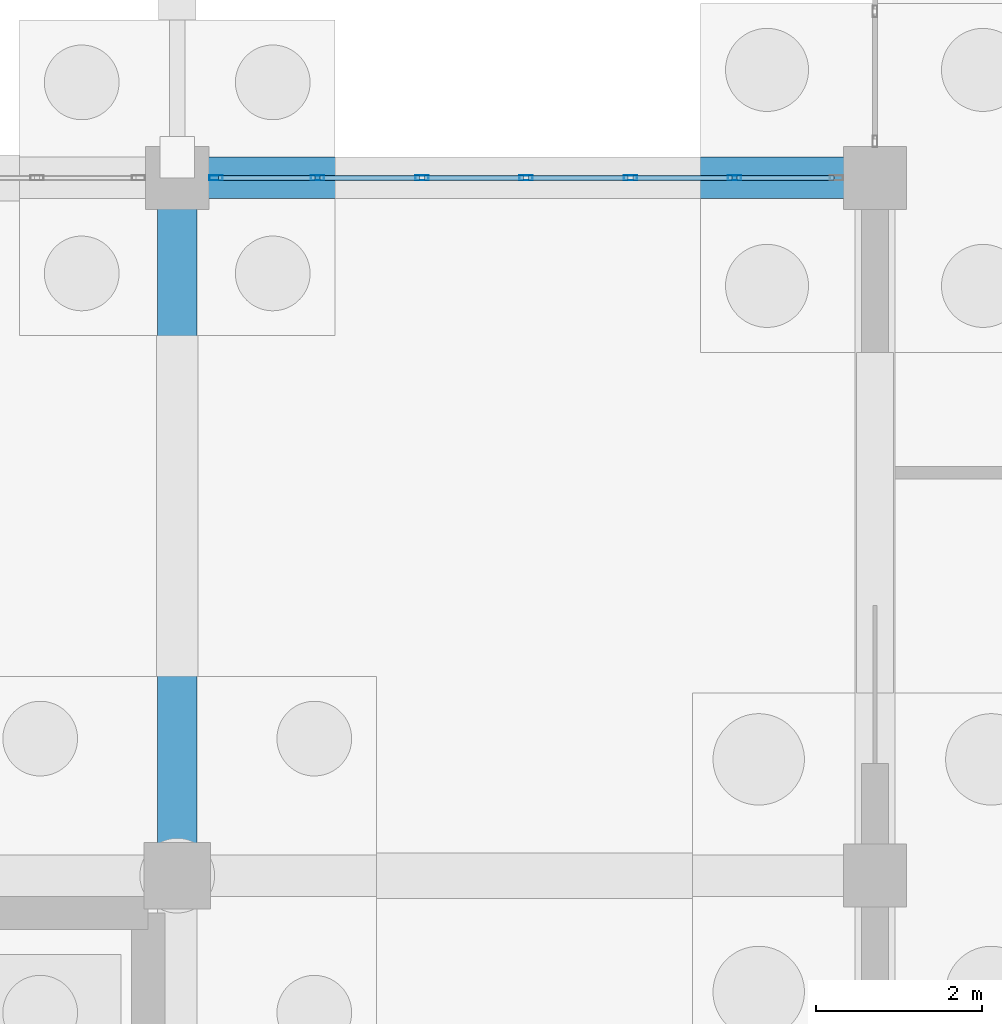
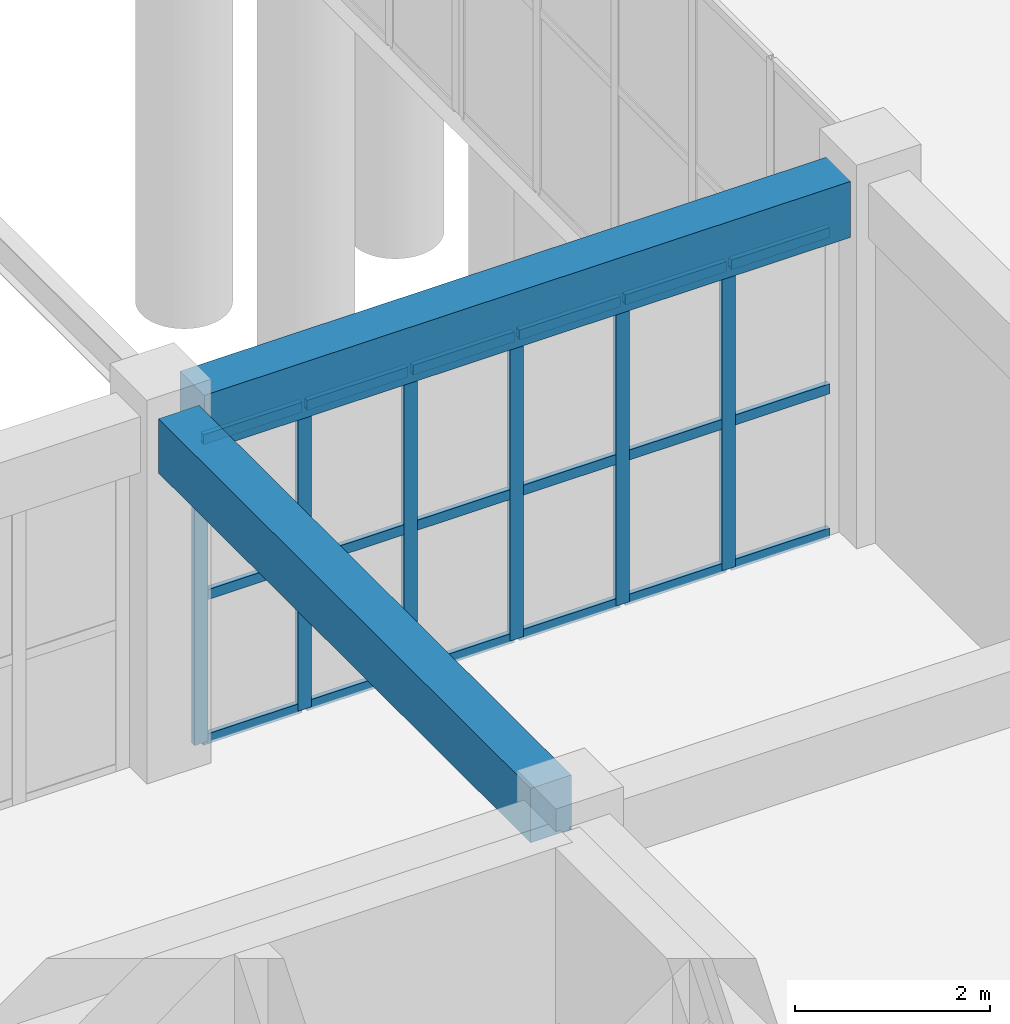
# One storey, part 96 of 192: 24 members, 2 beams, 1 element without a shape of its own.
"""IFC4 building model written with IfcOpenShell, lengths in metres."""

from ifc_helpers import new_model, si_unit, direction, frame, origin, origin_2d, place, context, subcontext, project, spatial, rectangle, hollow_rectangle, extrude, material, layer, layer_set, material_profile, profile_set, type_object, element, aggregate, save


model = new_model("IFC4")

# Units and contexts
model_context = context("Model", 3, precision=1e-05, world=origin(), true_north=direction((0.0, 1.0)))
body_context = subcontext(model_context, "Body", "Model", "MODEL_VIEW")
ifc_project = project(units=[si_unit("LENGTHUNIT", "METRE"), si_unit("AREAUNIT", "SQUARE_METRE"), si_unit("VOLUMEUNIT", "CUBIC_METRE"), si_unit("PLANEANGLEUNIT", "RADIAN"), si_unit("MASSUNIT", "GRAM", prefix="KILO")], contexts=[model_context])

# Site, building, storey
site_placement = place(None, origin())
site = spatial("IfcSite", under=ifc_project, at=site_placement, CompositionType="ELEMENT")
building_placement = place(site_placement, origin())
building = spatial("IfcBuilding", under=site, at=building_placement, Name="Trelvath General Hospital", CompositionType="ELEMENT")
storey_placement = place(building_placement, origin())
storey = spatial("IfcBuildingStorey", under=building, at=storey_placement, Name="L00", CompositionType="ELEMENT", Elevation=0.0)

# Beams
ifc_material_1 = material(Name="Concrete C35/45", Category="concrete")
ifc_material_profile_1 = material_profile(ifc_material_1, rectangle(XDim=0.47998046875, YDim=0.679931640625, at=origin_2d()), Name="RCB480x680")
ifc_profile_set_1 = profile_set([ifc_material_profile_1], Name="Concrete C35/45")
beam_type_1 = type_object("IfcBeamType", Name="Beam RC480x680", PredefinedType="BEAM", material=ifc_profile_set_1)
beam_1_placement = place(storey_placement, frame((84.0, 59.195068359375, 4.179931640625), z_axis=(0.0, 1.0, 0.0), x_axis=(-1.0, 0.0, 0.0)))
element("IfcBeam", 1, at=beam_1_placement, inside=storey, type_object=beam_type_1, Name="Grid Beam BY-010H", PredefinedType="BEAM", context=body_context, shape_type="SweptSolid", body=[
    extrude(rectangle(XDim=0.47998046875, YDim=0.679931640625, at=origin_2d()), origin(), (0.0, 0.0, 1.0), 7.6298828125),
])
ifc_material_2 = material(Name="Concrete C35/45", Category="concrete")
ifc_material_profile_2 = material_profile(ifc_material_2, rectangle(XDim=0.5, YDim=0.699951171875, at=origin_2d()), Name="RCB500x700")
ifc_profile_set_2 = profile_set([ifc_material_profile_2], Name="Concrete C35/45")
beam_type_2 = type_object("IfcBeamType", Name="Beam RC500x700", PredefinedType="BEAM", material=ifc_profile_set_2)
beam_2_placement = place(storey_placement, frame((84.375, 67.199951171875, 4.169921875), z_axis=(1.0, 0.0, 0.0), x_axis=(0.0, 1.0, 0.0)))
element("IfcBeam", 2, at=beam_2_placement, inside=storey, type_object=beam_type_2, Name="Grid Beam BX-010I", PredefinedType="BEAM", context=body_context, shape_type="SweptSolid", body=[
    extrude(rectangle(XDim=0.5, YDim=0.699951171875, at=origin_2d()), origin(), (0.0, 0.0, 1.0), 7.64990234375),
])

# Curtain wall, members
ifc_material_3 = material(Name="Anodised aluminium and low-E glass", Category="aluminium")
ifc_layer = layer(ifc_material_3, 0.159912109375)
ifc_layer_set = layer_set([ifc_layer], Name="Anodised aluminium and low-E glass")
curtain_wall_type = type_object("IfcCurtainWallType", Name="CW Facade 753 382 16", PredefinedType="USERDEFINED", material=ifc_layer_set)
curtain_wall_placement = place(storey_placement, origin())
curtain_wall = element("IfcCurtainWall", 3, at=curtain_wall_placement, inside=storey, type_object=curtain_wall_type, Name="Facade Curtain Wall CW-003", ObjectType="Unitised Glazed Curtain Wall", PredefinedType="USERDEFINED")
ifc_material_4 = material(Name="Anodised aluminium", Category="aluminium")
ifc_material_profile_3 = material_profile(ifc_material_4, hollow_rectangle(XDim=0.06005859375, YDim=0.159912109375, WallThickness=0.00390625, at=origin_2d()), Name="RHS60x160x4")
ifc_profile_set_3 = profile_set([ifc_material_profile_3], Name="Anodised aluminium")
member_type_1 = type_object("IfcMemberType", Name="CurtainMullion 60x160", PredefinedType="MULLION", material=ifc_profile_set_3)
member_1_placement = place(storey_placement, frame((84.465087890625, 67.199951171875, 0.0), z_axis=(0.0, 0.0, 1.0), x_axis=(0.0, 1.0, 0.0)))
member_1 = element("IfcMember", 4, at=member_1_placement, type_object=member_type_1, Name="CW-003 mullion 1", PredefinedType="MULLION", context=body_context, shape_type="SweptSolid", body=[
    extrude(hollow_rectangle(XDim=0.06005859375, YDim=0.159912109375, WallThickness=0.00390625, at=origin_2d()), origin(), (0.0, 0.0, 1.0), 3.820068359375),
])
member_2_placement = place(storey_placement, frame((85.68994140625, 67.199951171875, 0.0), z_axis=(0.0, 0.0, 1.0), x_axis=(0.0, 1.0, 0.0)))
member_2 = element("IfcMember", 5, at=member_2_placement, type_object=member_type_1, Name="CW-003 mullion 2", PredefinedType="MULLION", context=body_context, shape_type="SweptSolid", body=[
    extrude(hollow_rectangle(XDim=0.06005859375, YDim=0.159912109375, WallThickness=0.00390625, at=origin_2d()), origin(), (0.0, 0.0, 1.0), 3.820068359375),
])
member_3_placement = place(storey_placement, frame((86.945068359375, 67.199951171875, 0.0), z_axis=(0.0, 0.0, 1.0), x_axis=(0.0, 1.0, 0.0)))
member_3 = element("IfcMember", 6, at=member_3_placement, type_object=member_type_1, Name="CW-003 mullion 3", PredefinedType="MULLION", context=body_context, shape_type="SweptSolid", body=[
    extrude(hollow_rectangle(XDim=0.06005859375, YDim=0.159912109375, WallThickness=0.00390625, at=origin_2d()), origin(), (0.0, 0.0, 1.0), 3.820068359375),
])
member_4_placement = place(storey_placement, frame((88.199951171875, 67.199951171875, 0.0), z_axis=(0.0, 0.0, 1.0), x_axis=(0.0, 1.0, 0.0)))
member_4 = element("IfcMember", 7, at=member_4_placement, type_object=member_type_1, Name="CW-003 mullion 4", PredefinedType="MULLION", context=body_context, shape_type="SweptSolid", body=[
    extrude(hollow_rectangle(XDim=0.06005859375, YDim=0.159912109375, WallThickness=0.00390625, at=origin_2d()), origin(), (0.0, 0.0, 1.0), 3.820068359375),
])
member_5_placement = place(storey_placement, frame((89.455078125, 67.199951171875, 0.0), z_axis=(0.0, 0.0, 1.0), x_axis=(0.0, 1.0, 0.0)))
member_5 = element("IfcMember", 8, at=member_5_placement, type_object=member_type_1, Name="CW-003 mullion 5", PredefinedType="MULLION", context=body_context, shape_type="SweptSolid", body=[
    extrude(hollow_rectangle(XDim=0.06005859375, YDim=0.159912109375, WallThickness=0.00390625, at=origin_2d()), origin(), (0.0, 0.0, 1.0), 3.820068359375),
])
member_6_placement = place(storey_placement, frame((90.7099609375, 67.199951171875, 0.0), z_axis=(0.0, 0.0, 1.0), x_axis=(0.0, 1.0, 0.0)))
member_6 = element("IfcMember", 9, at=member_6_placement, type_object=member_type_1, Name="CW-003 mullion 6", PredefinedType="MULLION", context=body_context, shape_type="SweptSolid", body=[
    extrude(hollow_rectangle(XDim=0.06005859375, YDim=0.159912109375, WallThickness=0.00390625, at=origin_2d()), origin(), (0.0, 0.0, 1.0), 3.820068359375),
])
ifc_material_5 = material(Name="Anodised aluminium", Category="aluminium")
ifc_material_profile_4 = material_profile(ifc_material_5, hollow_rectangle(XDim=0.06005859375, YDim=0.125, WallThickness=0.00390625, at=origin_2d()), Name="RHS60x125x4")
ifc_profile_set_4 = profile_set([ifc_material_profile_4], Name="Anodised aluminium")
member_type_2 = type_object("IfcMemberType", Name="CurtainTransom 60x125", PredefinedType="USERDEFINED", material=ifc_profile_set_4)
member_7_placement = place(storey_placement, frame((84.4951171875, 67.199951171875, 0.030029296875), z_axis=(1.0, 0.0, 0.0), x_axis=(0.0, 1.0, 0.0)))
member_7 = element("IfcMember", 10, at=member_7_placement, type_object=member_type_2, Name="CW-003 transom 1.1", ObjectType="TRANSOM", PredefinedType="USERDEFINED", context=body_context, shape_type="SweptSolid", body=[
    extrude(hollow_rectangle(XDim=0.06005859375, YDim=0.125, WallThickness=0.00390625, at=origin_2d()), origin(), (0.0, 0.0, 1.0), 1.164794921875),
])
member_8_placement = place(storey_placement, frame((84.4951171875, 67.199951171875, 1.833984375), z_axis=(1.0, 0.0, 0.0), x_axis=(0.0, 1.0, 0.0)))
member_8 = element("IfcMember", 11, at=member_8_placement, type_object=member_type_2, Name="CW-003 transom 1.2", ObjectType="TRANSOM", PredefinedType="USERDEFINED", context=body_context, shape_type="SweptSolid", body=[
    extrude(hollow_rectangle(XDim=0.06005859375, YDim=0.125, WallThickness=0.00390625, at=origin_2d()), origin(), (0.0, 0.0, 1.0), 1.164794921875),
])
member_9_placement = place(storey_placement, frame((84.4951171875, 67.199951171875, 3.7900390625), z_axis=(1.0, 0.0, 0.0), x_axis=(0.0, 1.0, 0.0)))
member_9 = element("IfcMember", 12, at=member_9_placement, type_object=member_type_2, Name="CW-003 transom 1.3", ObjectType="TRANSOM", PredefinedType="USERDEFINED", context=body_context, shape_type="SweptSolid", body=[
    extrude(hollow_rectangle(XDim=0.06005859375, YDim=0.125, WallThickness=0.00390625, at=origin_2d()), origin(), (0.0, 0.0, 1.0), 1.164794921875),
])
member_10_placement = place(storey_placement, frame((85.719970703125, 67.199951171875, 0.030029296875), z_axis=(1.0, 0.0, 0.0), x_axis=(0.0, 1.0, 0.0)))
member_10 = element("IfcMember", 13, at=member_10_placement, type_object=member_type_2, Name="CW-003 transom 2.1", ObjectType="TRANSOM", PredefinedType="USERDEFINED", context=body_context, shape_type="SweptSolid", body=[
    extrude(hollow_rectangle(XDim=0.06005859375, YDim=0.125, WallThickness=0.00390625, at=origin_2d()), origin(), (0.0, 0.0, 1.0), 1.195068359375),
])
member_11_placement = place(storey_placement, frame((85.719970703125, 67.199951171875, 1.833984375), z_axis=(1.0, 0.0, 0.0), x_axis=(0.0, 1.0, 0.0)))
member_11 = element("IfcMember", 14, at=member_11_placement, type_object=member_type_2, Name="CW-003 transom 2.2", ObjectType="TRANSOM", PredefinedType="USERDEFINED", context=body_context, shape_type="SweptSolid", body=[
    extrude(hollow_rectangle(XDim=0.06005859375, YDim=0.125, WallThickness=0.00390625, at=origin_2d()), origin(), (0.0, 0.0, 1.0), 1.195068359375),
])
member_12_placement = place(storey_placement, frame((85.719970703125, 67.199951171875, 3.7900390625), z_axis=(1.0, 0.0, 0.0), x_axis=(0.0, 1.0, 0.0)))
member_12 = element("IfcMember", 15, at=member_12_placement, type_object=member_type_2, Name="CW-003 transom 2.3", ObjectType="TRANSOM", PredefinedType="USERDEFINED", context=body_context, shape_type="SweptSolid", body=[
    extrude(hollow_rectangle(XDim=0.06005859375, YDim=0.125, WallThickness=0.00390625, at=origin_2d()), origin(), (0.0, 0.0, 1.0), 1.195068359375),
])
member_13_placement = place(storey_placement, frame((86.97509765625, 67.199951171875, 0.030029296875), z_axis=(1.0, 0.0, 0.0), x_axis=(0.0, 1.0, 0.0)))
member_13 = element("IfcMember", 16, at=member_13_placement, type_object=member_type_2, Name="CW-003 transom 3.1", ObjectType="TRANSOM", PredefinedType="USERDEFINED", context=body_context, shape_type="SweptSolid", body=[
    extrude(hollow_rectangle(XDim=0.06005859375, YDim=0.125, WallThickness=0.00390625, at=origin_2d()), origin(), (0.0, 0.0, 1.0), 1.19482421875),
])
member_14_placement = place(storey_placement, frame((86.97509765625, 67.199951171875, 1.833984375), z_axis=(1.0, 0.0, 0.0), x_axis=(0.0, 1.0, 0.0)))
member_14 = element("IfcMember", 17, at=member_14_placement, type_object=member_type_2, Name="CW-003 transom 3.2", ObjectType="TRANSOM", PredefinedType="USERDEFINED", context=body_context, shape_type="SweptSolid", body=[
    extrude(hollow_rectangle(XDim=0.06005859375, YDim=0.125, WallThickness=0.00390625, at=origin_2d()), origin(), (0.0, 0.0, 1.0), 1.19482421875),
])
member_15_placement = place(storey_placement, frame((86.97509765625, 67.199951171875, 3.7900390625), z_axis=(1.0, 0.0, 0.0), x_axis=(0.0, 1.0, 0.0)))
member_15 = element("IfcMember", 18, at=member_15_placement, type_object=member_type_2, Name="CW-003 transom 3.3", ObjectType="TRANSOM", PredefinedType="USERDEFINED", context=body_context, shape_type="SweptSolid", body=[
    extrude(hollow_rectangle(XDim=0.06005859375, YDim=0.125, WallThickness=0.00390625, at=origin_2d()), origin(), (0.0, 0.0, 1.0), 1.19482421875),
])
member_16_placement = place(storey_placement, frame((88.22998046875, 67.199951171875, 0.030029296875), z_axis=(1.0, 0.0, 0.0), x_axis=(0.0, 1.0, 0.0)))
member_16 = element("IfcMember", 19, at=member_16_placement, type_object=member_type_2, Name="CW-003 transom 4.1", ObjectType="TRANSOM", PredefinedType="USERDEFINED", context=body_context, shape_type="SweptSolid", body=[
    extrude(hollow_rectangle(XDim=0.06005859375, YDim=0.125, WallThickness=0.00390625, at=origin_2d()), origin(), (0.0, 0.0, 1.0), 1.195068359375),
])
member_17_placement = place(storey_placement, frame((88.22998046875, 67.199951171875, 1.833984375), z_axis=(1.0, 0.0, 0.0), x_axis=(0.0, 1.0, 0.0)))
member_17 = element("IfcMember", 20, at=member_17_placement, type_object=member_type_2, Name="CW-003 transom 4.2", ObjectType="TRANSOM", PredefinedType="USERDEFINED", context=body_context, shape_type="SweptSolid", body=[
    extrude(hollow_rectangle(XDim=0.06005859375, YDim=0.125, WallThickness=0.00390625, at=origin_2d()), origin(), (0.0, 0.0, 1.0), 1.195068359375),
])
member_18_placement = place(storey_placement, frame((88.22998046875, 67.199951171875, 3.7900390625), z_axis=(1.0, 0.0, 0.0), x_axis=(0.0, 1.0, 0.0)))
member_18 = element("IfcMember", 21, at=member_18_placement, type_object=member_type_2, Name="CW-003 transom 4.3", ObjectType="TRANSOM", PredefinedType="USERDEFINED", context=body_context, shape_type="SweptSolid", body=[
    extrude(hollow_rectangle(XDim=0.06005859375, YDim=0.125, WallThickness=0.00390625, at=origin_2d()), origin(), (0.0, 0.0, 1.0), 1.195068359375),
])
member_19_placement = place(storey_placement, frame((89.485107421875, 67.199951171875, 0.030029296875), z_axis=(1.0, 0.0, 0.0), x_axis=(0.0, 1.0, 0.0)))
member_19 = element("IfcMember", 22, at=member_19_placement, type_object=member_type_2, Name="CW-003 transom 5.1", ObjectType="TRANSOM", PredefinedType="USERDEFINED", context=body_context, shape_type="SweptSolid", body=[
    extrude(hollow_rectangle(XDim=0.06005859375, YDim=0.125, WallThickness=0.00390625, at=origin_2d()), origin(), (0.0, 0.0, 1.0), 1.19482421875),
])
member_20_placement = place(storey_placement, frame((89.485107421875, 67.199951171875, 1.833984375), z_axis=(1.0, 0.0, 0.0), x_axis=(0.0, 1.0, 0.0)))
member_20 = element("IfcMember", 23, at=member_20_placement, type_object=member_type_2, Name="CW-003 transom 5.2", ObjectType="TRANSOM", PredefinedType="USERDEFINED", context=body_context, shape_type="SweptSolid", body=[
    extrude(hollow_rectangle(XDim=0.06005859375, YDim=0.125, WallThickness=0.00390625, at=origin_2d()), origin(), (0.0, 0.0, 1.0), 1.19482421875),
])
member_21_placement = place(storey_placement, frame((89.485107421875, 67.199951171875, 3.7900390625), z_axis=(1.0, 0.0, 0.0), x_axis=(0.0, 1.0, 0.0)))
member_21 = element("IfcMember", 24, at=member_21_placement, type_object=member_type_2, Name="CW-003 transom 5.3", ObjectType="TRANSOM", PredefinedType="USERDEFINED", context=body_context, shape_type="SweptSolid", body=[
    extrude(hollow_rectangle(XDim=0.06005859375, YDim=0.125, WallThickness=0.00390625, at=origin_2d()), origin(), (0.0, 0.0, 1.0), 1.19482421875),
])
member_22_placement = place(storey_placement, frame((90.739990234375, 67.199951171875, 0.030029296875), z_axis=(1.0, 0.0, 0.0), x_axis=(0.0, 1.0, 0.0)))
member_22 = element("IfcMember", 25, at=member_22_placement, type_object=member_type_2, Name="CW-003 transom 6.1", ObjectType="TRANSOM", PredefinedType="USERDEFINED", context=body_context, shape_type="SweptSolid", body=[
    extrude(hollow_rectangle(XDim=0.06005859375, YDim=0.125, WallThickness=0.00390625, at=origin_2d()), origin(), (0.0, 0.0, 1.0), 1.1650390625),
])
member_23_placement = place(storey_placement, frame((90.739990234375, 67.199951171875, 1.833984375), z_axis=(1.0, 0.0, 0.0), x_axis=(0.0, 1.0, 0.0)))
member_23 = element("IfcMember", 26, at=member_23_placement, type_object=member_type_2, Name="CW-003 transom 6.2", ObjectType="TRANSOM", PredefinedType="USERDEFINED", context=body_context, shape_type="SweptSolid", body=[
    extrude(hollow_rectangle(XDim=0.06005859375, YDim=0.125, WallThickness=0.00390625, at=origin_2d()), origin(), (0.0, 0.0, 1.0), 1.1650390625),
])
member_24_placement = place(storey_placement, frame((90.739990234375, 67.199951171875, 3.7900390625), z_axis=(1.0, 0.0, 0.0), x_axis=(0.0, 1.0, 0.0)))
member_24 = element("IfcMember", 27, at=member_24_placement, type_object=member_type_2, Name="CW-003 transom 6.3", ObjectType="TRANSOM", PredefinedType="USERDEFINED", context=body_context, shape_type="SweptSolid", body=[
    extrude(hollow_rectangle(XDim=0.06005859375, YDim=0.125, WallThickness=0.00390625, at=origin_2d()), origin(), (0.0, 0.0, 1.0), 1.1650390625),
])
aggregate(curtain_wall, [member_1, member_2, member_3, member_4, member_5, member_6, member_7, member_8, member_9, member_10, member_11, member_12, member_13, member_14, member_15, member_16, member_17, member_18, member_19, member_20, member_21, member_22, member_23, member_24])

save(model, "model.ifc")
